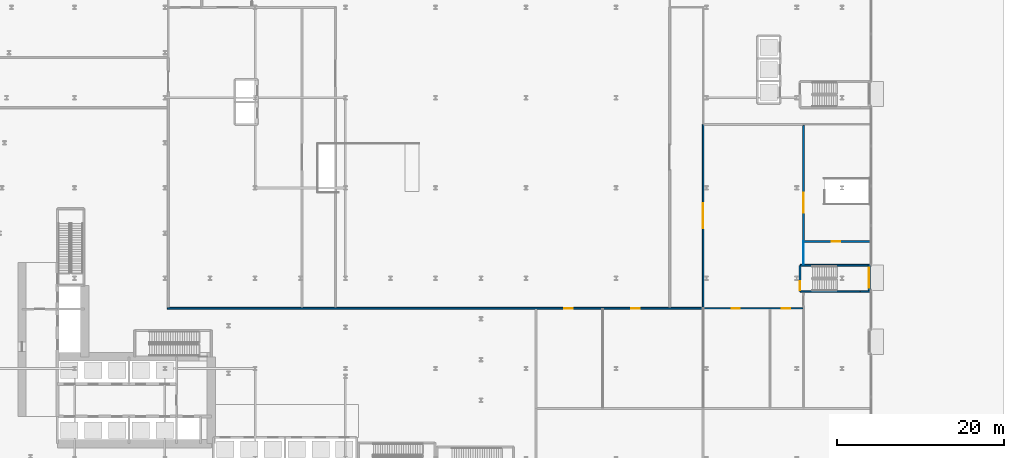
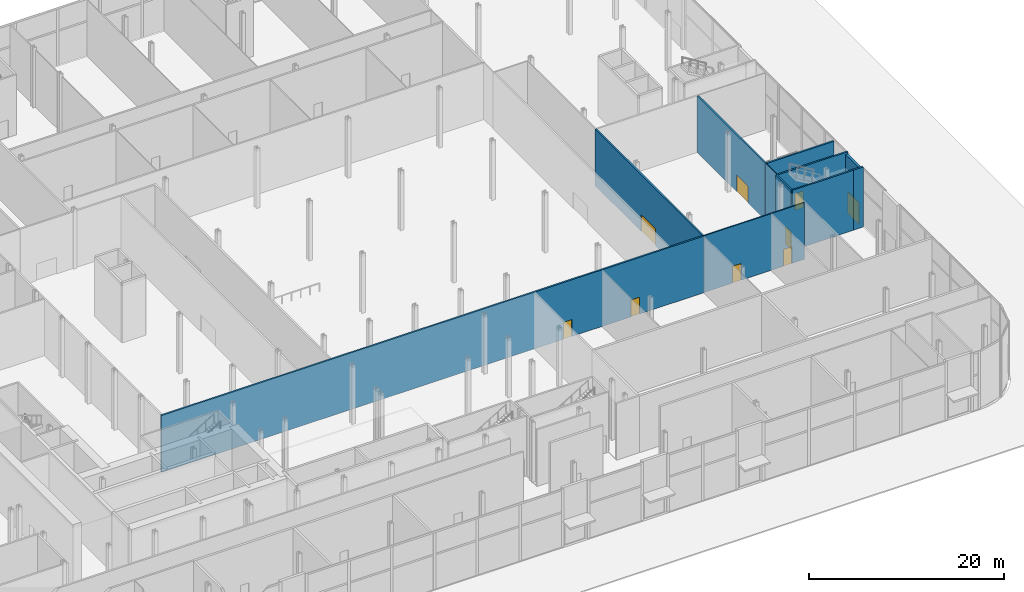
# One storey, part 28 of 46: 11 walls, 9 doors, 9 openings.
"""IFC4 building model written with IfcOpenShell, lengths in metres."""

from ifc_helpers import new_model, si_unit, direction, frame, frame_2d, origin, place, context, subcontext, project, spatial, rectangle, extrude, source, transform, mapped, material, layer, layer_set, type_object, element, fill, save


model = new_model("IFC4")

# Units and contexts
model_context = context("Model", 3, precision=1e-05, world=origin(), true_north=direction((0.0, 1.0)))
body_context = subcontext(model_context, "Body", "Model", "MODEL_VIEW")
ifc_project = project(units=[si_unit("LENGTHUNIT", "METRE"), si_unit("AREAUNIT", "SQUARE_METRE"), si_unit("VOLUMEUNIT", "CUBIC_METRE"), si_unit("PLANEANGLEUNIT", "RADIAN"), si_unit("MASSUNIT", "GRAM", prefix="KILO")], contexts=[model_context])

# Site, building, storey
site_placement = place(None, origin())
site = spatial("IfcSite", under=ifc_project, at=site_placement, CompositionType="ELEMENT")
building_placement = place(site_placement, origin())
building = spatial("IfcBuilding", under=site, at=building_placement, Name="Kheshtan School and Residences Tower", CompositionType="ELEMENT")
storey_placement = place(building_placement, origin())
storey = spatial("IfcBuildingStorey", under=building, at=storey_placement, Name="L00", CompositionType="ELEMENT", Elevation=0.0)

# Wall, openings, doors
ifc_material_1 = material(Name="Gypsum board on steel studs with fire boards", Category="steel")
ifc_layer_1 = layer(ifc_material_1, 0.199951171875)
ifc_layer_set_1 = layer_set([ifc_layer_1], Name="Corridor wall 200")
wall_type_1 = type_object("IfcWallType", Name="Corridor wall 200", PredefinedType="PARTITIONING", material=ifc_layer_set_1)
wall_1_placement = place(storey_placement, frame((47.89990234375, 42.0, 0.0), z_axis=(0.0, 0.0, 1.0), x_axis=(1.0, 0.0, 0.0)))
wall_1 = element("IfcWall", 1, at=wall_1_placement, inside=storey, type_object=wall_type_1, Name="Partition L00-023", PredefinedType="PARTITIONING", context=body_context, shape_type="SweptSolid", body=[
    extrude(rectangle(XDim=64.10009765625, YDim=0.199951171875, at=frame_2d((32.050048828125, 0.0))), origin(), (0.0, 0.0, 1.0), 7.080078125),
])
opening_1_placement = place(wall_1_placement, frame((47.5, 0.0, 0.0)))
opening_1 = element("IfcOpeningElement", 2, at=opening_1_placement, cuts=wall_1, Name="Opening D00-004", PredefinedType="OPENING", context=body_context, shape_type="SweptSolid", body=[
    extrude(rectangle(XDim=1.0, YDim=2.10009765625, at=frame_2d((0.5, 1.050048828125))), frame((0.0, 0.10986328125, 0.0), z_axis=(0.0, -1.0, 0.0), x_axis=(1.0, 0.0, 0.0)), (0.0, 0.0, 1.0), 0.219970703125),
])
opening_2_placement = place(wall_1_placement, frame((55.5, 0.0, 0.0)))
opening_2 = element("IfcOpeningElement", 3, at=opening_2_placement, cuts=wall_1, Name="Opening D00-042", PredefinedType="OPENING", context=body_context, shape_type="SweptSolid", body=[
    extrude(rectangle(XDim=1.0, YDim=2.10009765625, at=frame_2d((0.5, 1.050048828125))), frame((0.0, 0.10986328125, 0.0), z_axis=(0.0, -1.0, 0.0), x_axis=(1.0, 0.0, 0.0)), (0.0, 0.0, 1.0), 0.219970703125),
])
ifc_material_2 = material(Name="Steel-framed fire-resisting door leaf", Category="steel")
door_type_1 = type_object("IfcDoorType", Name="Fire door FD60 1000 x 2100", OperationType="SINGLE_SWING_LEFT", PredefinedType="DOOR", material=ifc_material_2)
shared_shape_1 = source(origin(), body_context, "Body", "SweptSolid", [
    extrude(rectangle(XDim=1.0, YDim=2.10009765625, at=frame_2d((0.5, 1.050048828125))), frame((0.0, 0.02490234375, 0.0), z_axis=(0.0, -1.0, 0.0), x_axis=(1.0, 0.0, 0.0)), (0.0, 0.0, 1.0), 0.050048828125),
])
door_1_placement = place(opening_1_placement, origin())
door_1 = element("IfcDoor", 4, at=door_1_placement, inside=storey, type_object=door_type_1, Name="Door D00-004", OperationType="SINGLE_SWING_RIGHT", OverallHeight=2.10009765625, OverallWidth=1.0, PredefinedType="DOOR", context=body_context, shape_type="MappedRepresentation", body=[
    mapped(shared_shape_1, transform((0.0, 0.0, 0.0), x_axis=(1.0, 0.0, 0.0), y_axis=(0.0, 1.0, 0.0), z_axis=(0.0, 0.0, 1.0), scale=1.0)),
])
fill(opening_1, door_1)
door_2_placement = place(opening_2_placement, origin())
door_2 = element("IfcDoor", 5, at=door_2_placement, inside=storey, type_object=door_type_1, Name="Door D00-042", OperationType="SINGLE_SWING_RIGHT", OverallHeight=2.10009765625, OverallWidth=1.0, PredefinedType="DOOR", context=body_context, shape_type="MappedRepresentation", body=[
    mapped(shared_shape_1, transform((0.0, 0.0, 0.0), x_axis=(1.0, 0.0, 0.0), y_axis=(0.0, 1.0, 0.0), z_axis=(0.0, 0.0, 1.0), scale=1.0)),
])
fill(opening_2, door_2)

# Wall, opening, door
wall_2_placement = place(storey_placement, frame((112.0, 42.0, 0.0), z_axis=(0.0, 0.0, 1.0), x_axis=(0.0, 1.0, 0.0)))
wall_2 = element("IfcWall", 6, at=wall_2_placement, inside=storey, type_object=wall_type_1, Name="Partition L00-071", PredefinedType="PARTITIONING", context=body_context, shape_type="SweptSolid", body=[
    extrude(rectangle(XDim=22.0, YDim=0.199951171875, at=frame_2d((11.0, 0.0))), origin(), (0.0, 0.0, 1.0), 7.080078125),
])
opening_3_placement = place(wall_2_placement, frame((9.60009765625, 0.0, 0.0)))
opening_3 = element("IfcOpeningElement", 7, at=opening_3_placement, cuts=wall_2, Name="Opening D00-006", PredefinedType="OPENING", context=body_context, shape_type="SweptSolid", body=[
    extrude(rectangle(XDim=3.0, YDim=2.10009765625, at=frame_2d((1.5, 1.050048828125))), frame((0.0, 0.10986328125, 0.0), z_axis=(0.0, -1.0, 0.0), x_axis=(1.0, 0.0, 0.0)), (0.0, 0.0, 1.0), 0.219970703125),
])
door_type_2 = type_object("IfcDoorType", Name="Fire double door FD60 3000 x 2100", OperationType="DOUBLE_DOOR_SINGLE_SWING", PredefinedType="DOOR", material=ifc_material_2)
shared_shape_2 = source(origin(), body_context, "Body", "SweptSolid", [
    extrude(rectangle(XDim=3.0, YDim=2.10009765625, at=frame_2d((1.5, 1.050048828125))), frame((0.0, 0.02490234375, 0.0), z_axis=(0.0, -1.0, 0.0), x_axis=(1.0, 0.0, 0.0)), (0.0, 0.0, 1.0), 0.050048828125),
])
door_3_placement = place(opening_3_placement, origin())
door_3 = element("IfcDoor", 8, at=door_3_placement, inside=storey, type_object=door_type_2, Name="Door D00-006", OperationType="DOUBLE_DOOR_SINGLE_SWING", OverallHeight=2.10009765625, OverallWidth=3.0, PredefinedType="DOOR", context=body_context, shape_type="MappedRepresentation", body=[
    mapped(shared_shape_2, transform((0.0, 0.0, 0.0), x_axis=(1.0, 0.0, 0.0), y_axis=(0.0, 1.0, 0.0), z_axis=(0.0, 0.0, 1.0), scale=1.0)),
])
fill(opening_3, door_3)

wall_3_placement = place(storey_placement, frame((124.0, 50.0, 0.0), z_axis=(0.0, 0.0, 1.0), x_axis=(0.0, 1.0, 0.0)))
wall_3 = element("IfcWall", 9, at=wall_3_placement, inside=storey, type_object=wall_type_1, Name="Partition L00-080", PredefinedType="PARTITIONING", context=body_context, shape_type="SweptSolid", body=[
    extrude(rectangle(XDim=13.89990234375, YDim=0.199951171875, at=frame_2d((6.949951171875, 0.0))), origin(), (0.0, 0.0, 1.0), 7.080078125),
])
opening_4_placement = place(wall_3_placement, frame((3.449951171875, 0.0, 0.0)))
opening_4 = element("IfcOpeningElement", 10, at=opening_4_placement, cuts=wall_3, Name="Opening D00-050", PredefinedType="OPENING", context=body_context, shape_type="SweptSolid", body=[
    extrude(rectangle(XDim=2.39990234375, YDim=2.10009765625, at=frame_2d((1.199951171875, 1.050048828125))), frame((0.0, 0.10986328125, 0.0), z_axis=(0.0, -1.0, 0.0), x_axis=(1.0, 0.0, 0.0)), (0.0, 0.0, 1.0), 0.219970703125),
])
door_type_3 = type_object("IfcDoorType", Name="Fire double door FD60 2400 x 2100", OperationType="DOUBLE_DOOR_SINGLE_SWING", PredefinedType="DOOR", material=ifc_material_2)
shared_shape_3 = source(origin(), body_context, "Body", "SweptSolid", [
    extrude(rectangle(XDim=2.39990234375, YDim=2.10009765625, at=frame_2d((1.199951171875, 1.050048828125))), frame((0.0, 0.02490234375, 0.0), z_axis=(0.0, -1.0, 0.0), x_axis=(1.0, 0.0, 0.0)), (0.0, 0.0, 1.0), 0.050048828125),
])
door_4_placement = place(opening_4_placement, origin())
door_4 = element("IfcDoor", 11, at=door_4_placement, inside=storey, type_object=door_type_3, Name="Door D00-050", OperationType="DOUBLE_DOOR_SINGLE_SWING", OverallHeight=2.10009765625, OverallWidth=2.39990234375, PredefinedType="DOOR", context=body_context, shape_type="MappedRepresentation", body=[
    mapped(shared_shape_3, transform((0.0, 0.0, 0.0), x_axis=(1.0, 0.0, 0.0), y_axis=(0.0, 1.0, 0.0), z_axis=(0.0, 0.0, 1.0), scale=1.0)),
])
fill(opening_4, door_4)

wall_4_placement = place(storey_placement, frame((124.10009765625, 50.0, 0.0), z_axis=(0.0, 0.0, 1.0), x_axis=(1.0, 0.0, 0.0)))
wall_4 = element("IfcWall", 12, at=wall_4_placement, inside=storey, type_object=wall_type_1, Name="Partition L00-082", PredefinedType="PARTITIONING", context=body_context, shape_type="SweptSolid", body=[
    extrude(rectangle(XDim=7.89990234375, YDim=0.199951171875, at=frame_2d((3.949951171875, 0.0))), origin(), (0.0, 0.0, 1.0), 7.080078125),
])
opening_5_placement = place(wall_4_placement, frame((3.300048828125, 0.0, 0.0)))
opening_5 = element("IfcOpeningElement", 13, at=opening_5_placement, cuts=wall_4, Name="Opening D00-048", PredefinedType="OPENING", context=body_context, shape_type="SweptSolid", body=[
    extrude(rectangle(XDim=1.0, YDim=2.10009765625, at=frame_2d((0.5, 1.050048828125))), frame((0.0, 0.10986328125, 0.0), z_axis=(0.0, -1.0, 0.0), x_axis=(1.0, 0.0, 0.0)), (0.0, 0.0, 1.0), 0.219970703125),
])
door_5_placement = place(opening_5_placement, origin())
door_5 = element("IfcDoor", 14, at=door_5_placement, inside=storey, type_object=door_type_1, Name="Door D00-048", OperationType="SINGLE_SWING_RIGHT", OverallHeight=2.10009765625, OverallWidth=1.0, PredefinedType="DOOR", context=body_context, shape_type="MappedRepresentation", body=[
    mapped(shared_shape_1, transform((0.0, 0.0, 0.0), x_axis=(1.0, 0.0, 0.0), y_axis=(0.0, 1.0, 0.0), z_axis=(0.0, 0.0, 1.0), scale=1.0)),
])
fill(opening_5, door_5)

# Wall
ifc_material_3 = material(Name="Gypsum board on steel studs", Category="steel")
ifc_layer_2 = layer(ifc_material_3, 0.10009765625)
ifc_layer_set_2 = layer_set([ifc_layer_2], Name="Gypsum partition 100")
wall_type_2 = type_object("IfcWallType", Name="Gypsum partition 100", PredefinedType="PARTITIONING", material=ifc_layer_set_2)
wall_5_placement = place(storey_placement, frame((124.0, 47.2490234375, 0.0), z_axis=(0.0, 0.0, 1.0), x_axis=(0.0, 1.0, 0.0)))
element("IfcWall", 15, at=wall_5_placement, inside=storey, type_object=wall_type_2, Name="Partition L00-079", PredefinedType="PARTITIONING", context=body_context, shape_type="SweptSolid", body=[
    extrude(rectangle(XDim=2.7509765625, YDim=0.10009765625, at=frame_2d((1.37548828125, 0.0))), origin(), (0.0, 0.0, 1.0), 7.080078125),
])

# Wall, opening, door
ifc_material_4 = material(Name="Concrete C40/50 with ceramic cladding and mineral wool insulation", Category="concrete")
ifc_layer_3 = layer(ifc_material_4, 0.300048828125)
ifc_layer_set_3 = layer_set([ifc_layer_3], Name="Podium external wall 300")
wall_type_3 = type_object("IfcWallType", Name="Podium external wall 300", PredefinedType="SOLIDWALL", material=ifc_layer_set_3)
wall_6_placement = place(storey_placement, frame((131.85009765625, 47.159912109375, 0.0), z_axis=(0.0, 0.0, 1.0), x_axis=(0.0, -1.0, 0.0)))
wall_6 = element("IfcWall", 16, at=wall_6_placement, inside=storey, type_object=wall_type_3, Name="Podium external wall L00 8.5", PredefinedType="SOLIDWALL", context=body_context, shape_type="SweptSolid", body=[
    extrude(rectangle(XDim=3.0, YDim=0.300048828125, at=frame_2d((1.5, 0.0))), origin(), (0.0, 0.0, 1.0), 7.25),
])
opening_6_placement = place(wall_6_placement, frame((0.300048828125, 0.0, 0.0)))
opening_6 = element("IfcOpeningElement", 17, at=opening_6_placement, cuts=wall_6, Name="Opening ED", PredefinedType="OPENING", context=body_context, shape_type="SweptSolid", body=[
    extrude(rectangle(XDim=2.39990234375, YDim=2.699951171875, at=frame_2d((1.199951171875, 1.35009765625))), frame((0.0, 0.16015625, 0.0), z_axis=(0.0, -1.0, 0.0), x_axis=(1.0, 0.0, 0.0)), (0.0, 0.0, 1.0), 0.320068359375),
])
ifc_material_5 = material(Name="Clear low-e glass in thermally broken aluminium frame", Category="aluminium")
door_type_4 = type_object("IfcDoorType", Name="Entrance double door", OperationType="DOUBLE_DOOR_SINGLE_SWING", PredefinedType="DOOR", material=ifc_material_5)
shared_shape_4 = source(origin(), body_context, "Body", "SweptSolid", [
    extrude(rectangle(XDim=2.39990234375, YDim=2.699951171875, at=frame_2d((1.199951171875, 1.35009765625))), frame((0.0, 0.02490234375, 0.0), z_axis=(0.0, -1.0, 0.0), x_axis=(1.0, 0.0, 0.0)), (0.0, 0.0, 1.0), 0.050048828125),
])
door_6_placement = place(opening_6_placement, origin())
door_6 = element("IfcDoor", 18, at=door_6_placement, inside=storey, type_object=door_type_4, Name="Entrance door 8.5", OperationType="DOUBLE_DOOR_SINGLE_SWING", OverallHeight=2.699951171875, OverallWidth=2.39990234375, PredefinedType="DOOR", context=body_context, shape_type="MappedRepresentation", body=[
    mapped(shared_shape_4, transform((0.0, 0.0, 0.0), x_axis=(1.0, 0.0, 0.0), y_axis=(0.0, 1.0, 0.0), z_axis=(0.0, 0.0, 1.0), scale=1.0)),
])
fill(opening_6, door_6)

# Walls
ifc_material_6 = material(Name="Concrete C40/50", Category="concrete")
ifc_layer_4 = layer(ifc_material_6, 0.199951171875)
ifc_layer_set_4 = layer_set([ifc_layer_4], Name="Stair enclosure wall 200 Concrete C40/50")
wall_type_4 = type_object("IfcWallType", Name="Stair enclosure wall 200 Concrete C40/50", PredefinedType="SHEAR", material=ifc_layer_set_4)
wall_7_placement = place(storey_placement, frame((123.60009765625, 44.0, 0.0), z_axis=(0.0, 0.0, 1.0), x_axis=(1.0, 0.0, 0.0)))
element("IfcWall", 19, at=wall_7_placement, inside=storey, type_object=wall_type_4, Name="Stair enclosure wall", PredefinedType="SHEAR", context=body_context, shape_type="SweptSolid", body=[
    extrude(rectangle(XDim=7.199951171875, YDim=0.199951171875, at=frame_2d((3.60009765625, 0.0))), origin(), (0.0, 0.0, 1.0), 7.5),
])
wall_8_placement = place(storey_placement, frame((130.800048828125, 44.0, 0.0), z_axis=(0.0, 0.0, 1.0), x_axis=(1.0, 0.0, 0.0)))
element("IfcWall", 20, at=wall_8_placement, inside=storey, type_object=wall_type_4, Name="Stair enclosure wall", PredefinedType="SHEAR", context=body_context, shape_type="SweptSolid", body=[
    extrude(rectangle(XDim=1.199951171875, YDim=0.199951171875, at=frame_2d((0.60009765625, 0.0))), origin(), (0.0, 0.0, 1.0), 7.5),
])
wall_9_placement = place(storey_placement, frame((123.60009765625, 47.14990234375, 0.0), z_axis=(0.0, 0.0, 1.0), x_axis=(1.0, 0.0, 0.0)))
element("IfcWall", 21, at=wall_9_placement, inside=storey, type_object=wall_type_4, Name="Stair enclosure wall", PredefinedType="SHEAR", context=body_context, shape_type="SweptSolid", body=[
    extrude(rectangle(XDim=8.39990234375, YDim=0.199951171875, at=frame_2d((4.199951171875, 0.0))), origin(), (0.0, 0.0, 1.0), 7.5),
])

# Wall, opening, door
wall_10_placement = place(storey_placement, frame((123.60009765625, 44.0, 0.0), z_axis=(0.0, 0.0, 1.0), x_axis=(0.0, 1.0, 0.0)))
wall_10 = element("IfcWall", 22, at=wall_10_placement, inside=storey, type_object=wall_type_4, Name="Stair enclosure wall", PredefinedType="SHEAR", context=body_context, shape_type="SweptSolid", body=[
    extrude(rectangle(XDim=3.14990234375, YDim=0.199951171875, at=frame_2d((1.574951171875, 0.0))), origin(), (0.0, 0.0, 1.0), 7.5),
])
opening_7_placement = place(wall_10_placement, frame((0.14990234375, 0.0, 0.0)))
opening_7 = element("IfcOpeningElement", 23, at=opening_7_placement, cuts=wall_10, Name="Opening SD90", PredefinedType="OPENING", context=body_context, shape_type="SweptSolid", body=[
    extrude(rectangle(XDim=1.10009765625, YDim=2.199951171875, at=frame_2d((0.550048828125, 1.10009765625))), frame((0.0, 0.10986328125, 0.0), z_axis=(0.0, -1.0, 0.0), x_axis=(1.0, 0.0, 0.0)), (0.0, 0.0, 1.0), 0.219970703125),
])
ifc_material_7 = material(Name="Steel door leaf, galvanised", Category="steel")
door_type_5 = type_object("IfcDoorType", Name="Stair door 1100 steel 90 min", OperationType="SINGLE_SWING_LEFT", PredefinedType="DOOR", material=ifc_material_7)
shared_shape_5 = source(origin(), body_context, "Body", "SweptSolid", [
    extrude(rectangle(XDim=1.10009765625, YDim=2.199951171875, at=frame_2d((0.550048828125, 1.10009765625))), frame((0.0, 0.02490234375, 0.0), z_axis=(0.0, -1.0, 0.0), x_axis=(1.0, 0.0, 0.0)), (0.0, 0.0, 1.0), 0.050048828125),
])
door_7_placement = place(opening_7_placement, origin())
door_7 = element("IfcDoor", 24, at=door_7_placement, inside=storey, type_object=door_type_5, Name="Stair door", OperationType="SINGLE_SWING_RIGHT", OverallHeight=2.199951171875, OverallWidth=1.10009765625, PredefinedType="DOOR", context=body_context, shape_type="MappedRepresentation", body=[
    mapped(shared_shape_5, transform((0.0, 0.0, 0.0), x_axis=(1.0, 0.0, 0.0), y_axis=(0.0, 1.0, 0.0), z_axis=(0.0, 0.0, 1.0), scale=1.0)),
])
fill(opening_7, door_7)

# Wall, openings, doors
ifc_material_8 = material(Name="Moisture-resistant gypsum board on steel studs", Category="steel")
ifc_layer_5 = layer(ifc_material_8, 0.14990234375)
ifc_layer_set_5 = layer_set([ifc_layer_5], Name="Wet-room partition 150")
wall_type_5 = type_object("IfcWallType", Name="Wet-room partition 150", PredefinedType="PARTITIONING", material=ifc_layer_set_5)
wall_11_placement = place(storey_placement, frame((112.0, 42.0, 0.0), z_axis=(0.0, 0.0, 1.0), x_axis=(1.0, 0.0, 0.0)))
wall_11 = element("IfcWall", 25, at=wall_11_placement, inside=storey, type_object=wall_type_5, Name="Partition L00-072", PredefinedType="PARTITIONING", context=body_context, shape_type="SweptSolid", body=[
    extrude(rectangle(XDim=11.925048828125, YDim=0.14990234375, at=frame_2d((5.96240234375, 0.0))), origin(), (0.0, 0.0, 1.0), 7.080078125),
])
opening_8_placement = place(wall_11_placement, frame((3.39990234375, 0.0, 0.0)))
opening_8 = element("IfcOpeningElement", 26, at=opening_8_placement, cuts=wall_11, Name="Opening D00-005", PredefinedType="OPENING", context=body_context, shape_type="SweptSolid", body=[
    extrude(rectangle(XDim=1.0, YDim=2.10009765625, at=frame_2d((0.5, 1.050048828125))), frame((0.0, 0.0849609375, 0.0), z_axis=(0.0, -1.0, 0.0), x_axis=(1.0, 0.0, 0.0)), (0.0, 0.0, 1.0), 0.169921875),
])
opening_9_placement = place(wall_11_placement, frame((9.39990234375, 0.0, 0.0)))
opening_9 = element("IfcOpeningElement", 27, at=opening_9_placement, cuts=wall_11, Name="Opening D00-049", PredefinedType="OPENING", context=body_context, shape_type="SweptSolid", body=[
    extrude(rectangle(XDim=1.0, YDim=2.10009765625, at=frame_2d((0.5, 1.050048828125))), frame((0.0, 0.0849609375, 0.0), z_axis=(0.0, -1.0, 0.0), x_axis=(1.0, 0.0, 0.0)), (0.0, 0.0, 1.0), 0.169921875),
])
ifc_material_9 = material(Name="Veneered timber door leaf", Category="wood")
door_type_6 = type_object("IfcDoorType", Name="Door 1000 x 2100", OperationType="SINGLE_SWING_LEFT", PredefinedType="DOOR", material=ifc_material_9)
shared_shape_6 = source(origin(), body_context, "Body", "SweptSolid", [
    extrude(rectangle(XDim=1.0, YDim=2.10009765625, at=frame_2d((0.5, 1.050048828125))), frame((0.0, 0.02490234375, 0.0), z_axis=(0.0, -1.0, 0.0), x_axis=(1.0, 0.0, 0.0)), (0.0, 0.0, 1.0), 0.050048828125),
])
door_8_placement = place(opening_8_placement, origin())
door_8 = element("IfcDoor", 28, at=door_8_placement, inside=storey, type_object=door_type_6, Name="Door D00-005", OperationType="SINGLE_SWING_LEFT", OverallHeight=2.10009765625, OverallWidth=1.0, PredefinedType="DOOR", context=body_context, shape_type="MappedRepresentation", body=[
    mapped(shared_shape_6, transform((0.0, 0.0, 0.0), x_axis=(1.0, 0.0, 0.0), y_axis=(0.0, 1.0, 0.0), z_axis=(0.0, 0.0, 1.0), scale=1.0)),
])
fill(opening_8, door_8)
door_9_placement = place(opening_9_placement, origin())
door_9 = element("IfcDoor", 29, at=door_9_placement, inside=storey, type_object=door_type_6, Name="Door D00-049", OperationType="SINGLE_SWING_RIGHT", OverallHeight=2.10009765625, OverallWidth=1.0, PredefinedType="DOOR", context=body_context, shape_type="MappedRepresentation", body=[
    mapped(shared_shape_6, transform((0.0, 0.0, 0.0), x_axis=(1.0, 0.0, 0.0), y_axis=(0.0, 1.0, 0.0), z_axis=(0.0, 0.0, 1.0), scale=1.0)),
])
fill(opening_9, door_9)

save(model, "model.ifc")
